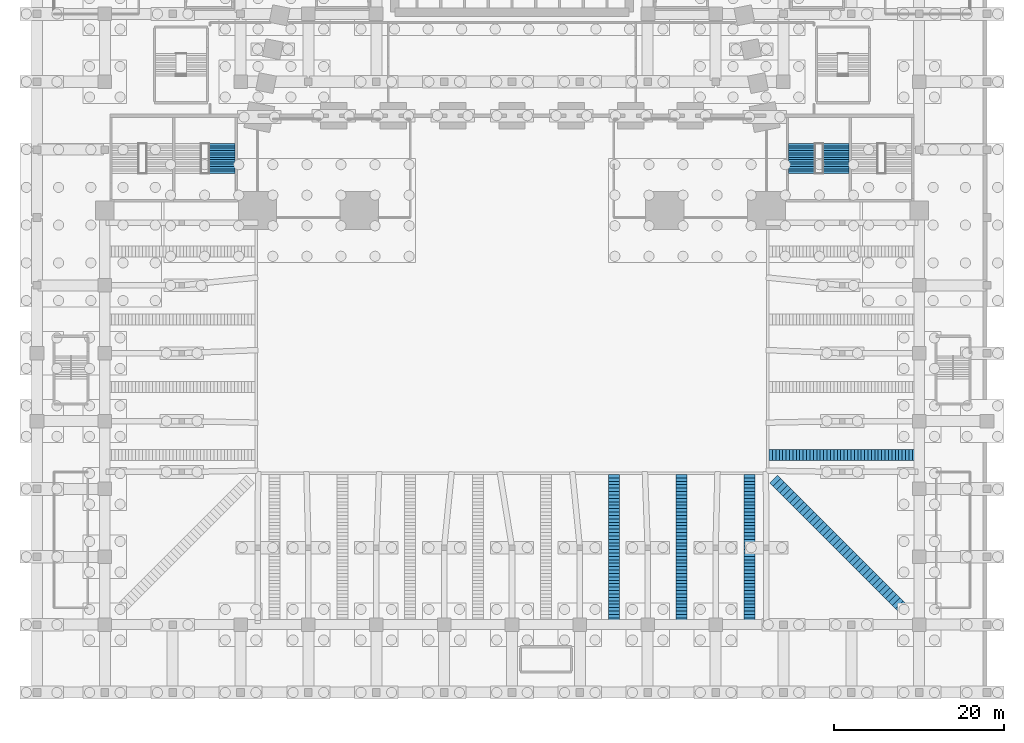
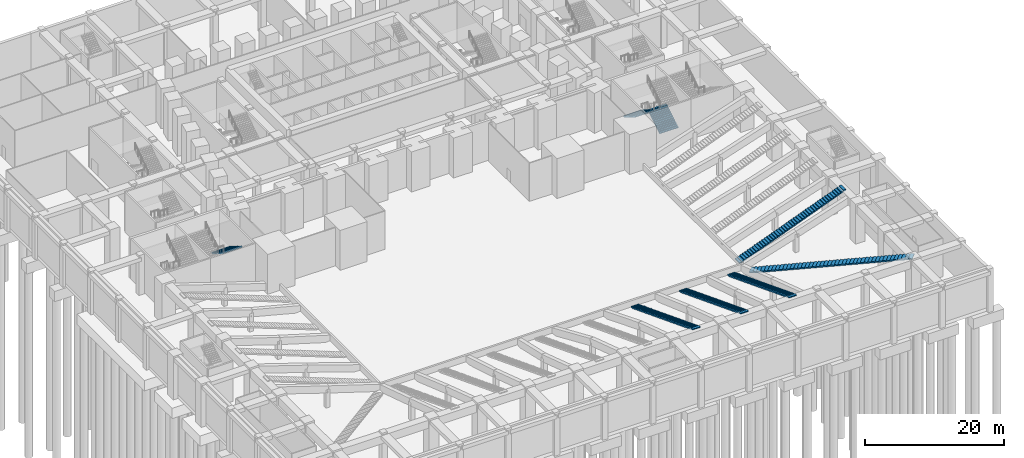
# One storey, part 16 of 30: 8 stair flights, 7 elements without a shape of their own.
"""IFC4 building model written with IfcOpenShell, lengths in metres."""

from ifc_helpers import new_model, si_unit, direction, frame, origin, place, context, subcontext, project, spatial, polyline, outline, extrude, material, type_object, element, aggregate, save


model = new_model("IFC4")

# Units and contexts
model_context = context("Model", 3, precision=1e-05, world=origin(), true_north=direction((0.0, 1.0)))
body_context = subcontext(model_context, "Body", "Model", "MODEL_VIEW")
ifc_project = project(units=[si_unit("LENGTHUNIT", "METRE"), si_unit("AREAUNIT", "SQUARE_METRE"), si_unit("VOLUMEUNIT", "CUBIC_METRE"), si_unit("PLANEANGLEUNIT", "RADIAN"), si_unit("MASSUNIT", "GRAM", prefix="KILO")], contexts=[model_context])

# Site, building, storey
site_placement = place(None, origin())
site = spatial("IfcSite", under=ifc_project, at=site_placement, CompositionType="ELEMENT")
building_placement = place(site_placement, origin())
building = spatial("IfcBuilding", under=site, at=building_placement, Name="Isbrekke Arena Tower", CompositionType="ELEMENT")
storey_placement = place(building_placement, frame((0.0, 0.0, -7.0)))
storey = spatial("IfcBuildingStorey", under=building, at=storey_placement, Name="B1", CompositionType="ELEMENT", Elevation=-7.0)

# Stair, stair flight
ifc_material_1 = material(Name="Concrete B45 (C45/55) precast", Category="concrete")
stair_type_1 = type_object("IfcStairType", Name="AS402 AISLE STAIR 1300 WIDE, 45 RISERS 155", PredefinedType="STRAIGHT_RUN_STAIR", material=ifc_material_1)
stair_1_placement = place(storey_placement, origin())
stair_1 = element("IfcStair", 1, at=stair_1_placement, inside=storey, type_object=stair_type_1, Name="AE46 aisle stair", PredefinedType="STRAIGHT_RUN_STAIR")
ifc_material_2 = material(Name="Concrete B45 (C45/55) precast", Category="concrete")
stair_flight_type_1 = type_object("IfcStairFlightType", Name="AF 1300 AISLE FLIGHT 402", PredefinedType="STRAIGHT", material=ifc_material_2)
stair_flight_1_placement = place(storey_placement, frame((30.300048828125, -46.0, 0.0), z_axis=(0.0, 0.0, 1.0), x_axis=(1.0, 0.0, 0.0)))
stair_flight_1 = element("IfcStairFlight", 2, at=stair_flight_1_placement, type_object=stair_flight_type_1, Name="AE46 flight 1", NumberOfRisers=45, NumberOfTreads=44, PredefinedType="STRAIGHT", RiserHeight=0.155555556, TreadLength=0.4023, context=body_context, shape_type="SweptSolid", body=[
    extrude(outline(polyline([(0.0, 0.0), (0.0, 0.155517578125), (0.40234375, 0.155517578125), (0.40234375, 0.31103515625), (0.8046875, 0.31103515625), (0.8046875, 0.466552734375), (1.206787109375, 0.466552734375), (1.206787109375, 0.622314453125), (1.609130859375, 0.622314453125), (1.609130859375, 0.77783203125), (2.011474609375, 0.77783203125), (2.011474609375, 0.933349609375), (2.413818359375, 0.933349609375), (2.413818359375, 1.0888671875), (2.816162109375, 1.0888671875), (2.816162109375, 1.244384765625), (3.218505859375, 1.244384765625), (3.218505859375, 1.39990234375), (3.62060546875, 1.39990234375), (3.62060546875, 1.5556640625), (4.02294921875, 1.5556640625), (4.02294921875, 1.711181640625), (4.42529296875, 1.711181640625), (4.42529296875, 1.86669921875), (4.82763671875, 1.86669921875), (4.82763671875, 2.022216796875), (5.22998046875, 2.022216796875), (5.22998046875, 2.177734375), (5.632080078125, 2.177734375), (5.632080078125, 2.333251953125), (6.034423828125, 2.333251953125), (6.034423828125, 2.48876953125), (6.436767578125, 2.48876953125), (6.436767578125, 2.64453125), (6.839111328125, 2.64453125), (6.839111328125, 2.800048828125), (7.241455078125, 2.800048828125), (7.241455078125, 2.95556640625), (7.643798828125, 2.95556640625), (7.643798828125, 3.111083984375), (8.0458984375, 3.111083984375), (8.0458984375, 3.2666015625), (8.4482421875, 3.2666015625), (8.4482421875, 3.422119140625), (8.8505859375, 3.422119140625), (8.8505859375, 3.577880859375), (9.2529296875, 3.577880859375), (9.2529296875, 3.7333984375), (9.6552734375, 3.7333984375), (9.6552734375, 3.888916015625), (10.0576171875, 3.888916015625), (10.0576171875, 4.04443359375), (10.459716796875, 4.04443359375), (10.459716796875, 4.199951171875), (10.862060546875, 4.199951171875), (10.862060546875, 4.35546875), (11.264404296875, 4.35546875), (11.264404296875, 4.51123046875), (11.666748046875, 4.51123046875), (11.666748046875, 4.666748046875), (12.069091796875, 4.666748046875), (12.069091796875, 4.822265625), (12.47119140625, 4.822265625), (12.47119140625, 4.977783203125), (12.87353515625, 4.977783203125), (12.87353515625, 5.13330078125), (13.27587890625, 5.13330078125), (13.27587890625, 5.288818359375), (13.67822265625, 5.288818359375), (13.67822265625, 5.4443359375), (14.08056640625, 5.4443359375), (14.08056640625, 5.60009765625), (14.48291015625, 5.60009765625), (14.48291015625, 5.755615234375), (14.885009765625, 5.755615234375), (14.885009765625, 5.9111328125), (15.287353515625, 5.9111328125), (15.287353515625, 6.066650390625), (15.689697265625, 6.066650390625), (15.689697265625, 6.22216796875), (16.092041015625, 6.22216796875), (16.092041015625, 6.377685546875), (16.494384765625, 6.377685546875), (16.494384765625, 6.533447265625), (16.896484375, 6.533447265625), (16.896484375, 6.68896484375), (17.298828125, 6.68896484375), (17.298828125, 6.844482421875), (17.701171875, 6.844482421875), (17.701171875, 7.0), (17.701171875, 6.683837890625), (0.415771484375, 0.0), (0.0, 0.0)])), frame((0.0, 0.64990234375, 0.0), z_axis=(0.0, -1.0, 0.0), x_axis=(1.0, 0.0, 0.0)), (0.0, 0.0, 1.0), 1.300048828125),
])
aggregate(stair_1, [stair_flight_1])

stair_2_placement = place(storey_placement, origin())
stair_2 = element("IfcStair", 3, at=stair_2_placement, inside=storey, type_object=stair_type_1, Name="AS+12 aisle stair", PredefinedType="STRAIGHT_RUN_STAIR")
stair_flight_2_placement = place(storey_placement, frame((12.0, -48.300048828125, 0.0), z_axis=(0.0, 0.0, 1.0), x_axis=(0.0, -1.0, 0.0)))
stair_flight_2 = element("IfcStairFlight", 4, at=stair_flight_2_placement, type_object=stair_flight_type_1, Name="AS+12 flight 1", NumberOfRisers=45, NumberOfTreads=44, PredefinedType="STRAIGHT", RiserHeight=0.155555556, TreadLength=0.4023, context=body_context, shape_type="SweptSolid", body=[
    extrude(outline(polyline([(0.0, 0.0), (0.0, 0.155517578125), (0.40234375, 0.155517578125), (0.40234375, 0.31103515625), (0.8046875, 0.31103515625), (0.8046875, 0.466552734375), (1.206787109375, 0.466552734375), (1.206787109375, 0.622314453125), (1.609130859375, 0.622314453125), (1.609130859375, 0.77783203125), (2.011474609375, 0.77783203125), (2.011474609375, 0.933349609375), (2.413818359375, 0.933349609375), (2.413818359375, 1.0888671875), (2.816162109375, 1.0888671875), (2.816162109375, 1.244384765625), (3.218505859375, 1.244384765625), (3.218505859375, 1.39990234375), (3.62060546875, 1.39990234375), (3.62060546875, 1.5556640625), (4.02294921875, 1.5556640625), (4.02294921875, 1.711181640625), (4.42529296875, 1.711181640625), (4.42529296875, 1.86669921875), (4.82763671875, 1.86669921875), (4.82763671875, 2.022216796875), (5.22998046875, 2.022216796875), (5.22998046875, 2.177734375), (5.632080078125, 2.177734375), (5.632080078125, 2.333251953125), (6.034423828125, 2.333251953125), (6.034423828125, 2.48876953125), (6.436767578125, 2.48876953125), (6.436767578125, 2.64453125), (6.839111328125, 2.64453125), (6.839111328125, 2.800048828125), (7.241455078125, 2.800048828125), (7.241455078125, 2.95556640625), (7.643798828125, 2.95556640625), (7.643798828125, 3.111083984375), (8.0458984375, 3.111083984375), (8.0458984375, 3.2666015625), (8.4482421875, 3.2666015625), (8.4482421875, 3.422119140625), (8.8505859375, 3.422119140625), (8.8505859375, 3.577880859375), (9.2529296875, 3.577880859375), (9.2529296875, 3.7333984375), (9.6552734375, 3.7333984375), (9.6552734375, 3.888916015625), (10.0576171875, 3.888916015625), (10.0576171875, 4.04443359375), (10.459716796875, 4.04443359375), (10.459716796875, 4.199951171875), (10.862060546875, 4.199951171875), (10.862060546875, 4.35546875), (11.264404296875, 4.35546875), (11.264404296875, 4.51123046875), (11.666748046875, 4.51123046875), (11.666748046875, 4.666748046875), (12.069091796875, 4.666748046875), (12.069091796875, 4.822265625), (12.47119140625, 4.822265625), (12.47119140625, 4.977783203125), (12.87353515625, 4.977783203125), (12.87353515625, 5.13330078125), (13.27587890625, 5.13330078125), (13.27587890625, 5.288818359375), (13.67822265625, 5.288818359375), (13.67822265625, 5.4443359375), (14.08056640625, 5.4443359375), (14.08056640625, 5.60009765625), (14.48291015625, 5.60009765625), (14.48291015625, 5.755615234375), (14.885009765625, 5.755615234375), (14.885009765625, 5.9111328125), (15.287353515625, 5.9111328125), (15.287353515625, 6.066650390625), (15.689697265625, 6.066650390625), (15.689697265625, 6.22216796875), (16.092041015625, 6.22216796875), (16.092041015625, 6.377685546875), (16.494384765625, 6.377685546875), (16.494384765625, 6.533447265625), (16.896484375, 6.533447265625), (16.896484375, 6.68896484375), (17.298828125, 6.68896484375), (17.298828125, 6.844482421875), (17.701171875, 6.844482421875), (17.701171875, 7.0), (17.701171875, 6.683837890625), (0.415771484375, 0.0), (0.0, 0.0)])), frame((0.0, 0.64990234375, 0.0), z_axis=(0.0, -1.0, 0.0), x_axis=(1.0, 0.0, 0.0)), (0.0, 0.0, 1.0), 1.300048828125),
])
aggregate(stair_2, [stair_flight_2])

stair_3_placement = place(storey_placement, origin())
stair_3 = element("IfcStair", 5, at=stair_3_placement, inside=storey, type_object=stair_type_1, Name="AS+20 aisle stair", PredefinedType="STRAIGHT_RUN_STAIR")
stair_flight_3_placement = place(storey_placement, frame((20.0, -48.300048828125, 0.0), z_axis=(0.0, 0.0, 1.0), x_axis=(0.0, -1.0, 0.0)))
stair_flight_3 = element("IfcStairFlight", 6, at=stair_flight_3_placement, type_object=stair_flight_type_1, Name="AS+20 flight 1", NumberOfRisers=45, NumberOfTreads=44, PredefinedType="STRAIGHT", RiserHeight=0.155555556, TreadLength=0.4023, context=body_context, shape_type="SweptSolid", body=[
    extrude(outline(polyline([(0.0, 0.0), (0.0, 0.155517578125), (0.40234375, 0.155517578125), (0.40234375, 0.31103515625), (0.8046875, 0.31103515625), (0.8046875, 0.466552734375), (1.206787109375, 0.466552734375), (1.206787109375, 0.622314453125), (1.609130859375, 0.622314453125), (1.609130859375, 0.77783203125), (2.011474609375, 0.77783203125), (2.011474609375, 0.933349609375), (2.413818359375, 0.933349609375), (2.413818359375, 1.0888671875), (2.816162109375, 1.0888671875), (2.816162109375, 1.244384765625), (3.218505859375, 1.244384765625), (3.218505859375, 1.39990234375), (3.62060546875, 1.39990234375), (3.62060546875, 1.5556640625), (4.02294921875, 1.5556640625), (4.02294921875, 1.711181640625), (4.42529296875, 1.711181640625), (4.42529296875, 1.86669921875), (4.82763671875, 1.86669921875), (4.82763671875, 2.022216796875), (5.22998046875, 2.022216796875), (5.22998046875, 2.177734375), (5.632080078125, 2.177734375), (5.632080078125, 2.333251953125), (6.034423828125, 2.333251953125), (6.034423828125, 2.48876953125), (6.436767578125, 2.48876953125), (6.436767578125, 2.64453125), (6.839111328125, 2.64453125), (6.839111328125, 2.800048828125), (7.241455078125, 2.800048828125), (7.241455078125, 2.95556640625), (7.643798828125, 2.95556640625), (7.643798828125, 3.111083984375), (8.0458984375, 3.111083984375), (8.0458984375, 3.2666015625), (8.4482421875, 3.2666015625), (8.4482421875, 3.422119140625), (8.8505859375, 3.422119140625), (8.8505859375, 3.577880859375), (9.2529296875, 3.577880859375), (9.2529296875, 3.7333984375), (9.6552734375, 3.7333984375), (9.6552734375, 3.888916015625), (10.0576171875, 3.888916015625), (10.0576171875, 4.04443359375), (10.459716796875, 4.04443359375), (10.459716796875, 4.199951171875), (10.862060546875, 4.199951171875), (10.862060546875, 4.35546875), (11.264404296875, 4.35546875), (11.264404296875, 4.51123046875), (11.666748046875, 4.51123046875), (11.666748046875, 4.666748046875), (12.069091796875, 4.666748046875), (12.069091796875, 4.822265625), (12.47119140625, 4.822265625), (12.47119140625, 4.977783203125), (12.87353515625, 4.977783203125), (12.87353515625, 5.13330078125), (13.27587890625, 5.13330078125), (13.27587890625, 5.288818359375), (13.67822265625, 5.288818359375), (13.67822265625, 5.4443359375), (14.08056640625, 5.4443359375), (14.08056640625, 5.60009765625), (14.48291015625, 5.60009765625), (14.48291015625, 5.755615234375), (14.885009765625, 5.755615234375), (14.885009765625, 5.9111328125), (15.287353515625, 5.9111328125), (15.287353515625, 6.066650390625), (15.689697265625, 6.066650390625), (15.689697265625, 6.22216796875), (16.092041015625, 6.22216796875), (16.092041015625, 6.377685546875), (16.494384765625, 6.377685546875), (16.494384765625, 6.533447265625), (16.896484375, 6.533447265625), (16.896484375, 6.68896484375), (17.298828125, 6.68896484375), (17.298828125, 6.844482421875), (17.701171875, 6.844482421875), (17.701171875, 7.0), (17.701171875, 6.683837890625), (0.415771484375, 0.0), (0.0, 0.0)])), frame((0.0, 0.64990234375, 0.0), z_axis=(0.0, -1.0, 0.0), x_axis=(1.0, 0.0, 0.0)), (0.0, 0.0, 1.0), 1.300048828125),
])
aggregate(stair_3, [stair_flight_3])

stair_4_placement = place(storey_placement, origin())
stair_4 = element("IfcStair", 7, at=stair_4_placement, inside=storey, type_object=stair_type_1, Name="AS+28 aisle stair", PredefinedType="STRAIGHT_RUN_STAIR")
stair_flight_4_placement = place(storey_placement, frame((28.0, -48.300048828125, 0.0), z_axis=(0.0, 0.0, 1.0), x_axis=(0.0, -1.0, 0.0)))
stair_flight_4 = element("IfcStairFlight", 8, at=stair_flight_4_placement, type_object=stair_flight_type_1, Name="AS+28 flight 1", NumberOfRisers=45, NumberOfTreads=44, PredefinedType="STRAIGHT", RiserHeight=0.155555556, TreadLength=0.4023, context=body_context, shape_type="SweptSolid", body=[
    extrude(outline(polyline([(0.0, 0.0), (0.0, 0.155517578125), (0.40234375, 0.155517578125), (0.40234375, 0.31103515625), (0.8046875, 0.31103515625), (0.8046875, 0.466552734375), (1.206787109375, 0.466552734375), (1.206787109375, 0.622314453125), (1.609130859375, 0.622314453125), (1.609130859375, 0.77783203125), (2.011474609375, 0.77783203125), (2.011474609375, 0.933349609375), (2.413818359375, 0.933349609375), (2.413818359375, 1.0888671875), (2.816162109375, 1.0888671875), (2.816162109375, 1.244384765625), (3.218505859375, 1.244384765625), (3.218505859375, 1.39990234375), (3.62060546875, 1.39990234375), (3.62060546875, 1.5556640625), (4.02294921875, 1.5556640625), (4.02294921875, 1.711181640625), (4.42529296875, 1.711181640625), (4.42529296875, 1.86669921875), (4.82763671875, 1.86669921875), (4.82763671875, 2.022216796875), (5.22998046875, 2.022216796875), (5.22998046875, 2.177734375), (5.632080078125, 2.177734375), (5.632080078125, 2.333251953125), (6.034423828125, 2.333251953125), (6.034423828125, 2.48876953125), (6.436767578125, 2.48876953125), (6.436767578125, 2.64453125), (6.839111328125, 2.64453125), (6.839111328125, 2.800048828125), (7.241455078125, 2.800048828125), (7.241455078125, 2.95556640625), (7.643798828125, 2.95556640625), (7.643798828125, 3.111083984375), (8.0458984375, 3.111083984375), (8.0458984375, 3.2666015625), (8.4482421875, 3.2666015625), (8.4482421875, 3.422119140625), (8.8505859375, 3.422119140625), (8.8505859375, 3.577880859375), (9.2529296875, 3.577880859375), (9.2529296875, 3.7333984375), (9.6552734375, 3.7333984375), (9.6552734375, 3.888916015625), (10.0576171875, 3.888916015625), (10.0576171875, 4.04443359375), (10.459716796875, 4.04443359375), (10.459716796875, 4.199951171875), (10.862060546875, 4.199951171875), (10.862060546875, 4.35546875), (11.264404296875, 4.35546875), (11.264404296875, 4.51123046875), (11.666748046875, 4.51123046875), (11.666748046875, 4.666748046875), (12.069091796875, 4.666748046875), (12.069091796875, 4.822265625), (12.47119140625, 4.822265625), (12.47119140625, 4.977783203125), (12.87353515625, 4.977783203125), (12.87353515625, 5.13330078125), (13.27587890625, 5.13330078125), (13.27587890625, 5.288818359375), (13.67822265625, 5.288818359375), (13.67822265625, 5.4443359375), (14.08056640625, 5.4443359375), (14.08056640625, 5.60009765625), (14.48291015625, 5.60009765625), (14.48291015625, 5.755615234375), (14.885009765625, 5.755615234375), (14.885009765625, 5.9111328125), (15.287353515625, 5.9111328125), (15.287353515625, 6.066650390625), (15.689697265625, 6.066650390625), (15.689697265625, 6.22216796875), (16.092041015625, 6.22216796875), (16.092041015625, 6.377685546875), (16.494384765625, 6.377685546875), (16.494384765625, 6.533447265625), (16.896484375, 6.533447265625), (16.896484375, 6.68896484375), (17.298828125, 6.68896484375), (17.298828125, 6.844482421875), (17.701171875, 6.844482421875), (17.701171875, 7.0), (17.701171875, 6.683837890625), (0.415771484375, 0.0), (0.0, 0.0)])), frame((0.0, 0.64990234375, 0.0), z_axis=(0.0, -1.0, 0.0), x_axis=(1.0, 0.0, 0.0)), (0.0, 0.0, 1.0), 1.300048828125),
])
aggregate(stair_4, [stair_flight_4])

ifc_material_3 = material(Name="Concrete B45 (C45/55) precast", Category="concrete")
stair_type_2 = type_object("IfcStairType", Name="AS551 AISLE STAIR 1300 WIDE, 45 RISERS 155", PredefinedType="STRAIGHT_RUN_STAIR", material=ifc_material_3)
stair_5_placement = place(storey_placement, origin())
stair_5 = element("IfcStair", 9, at=stair_5_placement, inside=storey, type_object=stair_type_2, Name="ASE aisle stair", PredefinedType="STRAIGHT_RUN_STAIR")
ifc_material_4 = material(Name="Concrete B45 (C45/55) precast", Category="concrete")
stair_flight_type_2 = type_object("IfcStairFlightType", Name="AF 1300 AISLE FLIGHT 551", PredefinedType="STRAIGHT", material=ifc_material_4)
stair_flight_5_placement = place(storey_placement, frame((30.85009765625, -48.85009765625, 0.0), z_axis=(0.0, 0.0, 1.0), x_axis=(0.707106781187, -0.707106781187, 0.0)))
stair_flight_5 = element("IfcStairFlight", 10, at=stair_flight_5_placement, type_object=stair_flight_type_2, Name="ASE flight 1", NumberOfRisers=45, NumberOfTreads=44, PredefinedType="STRAIGHT", RiserHeight=0.155555556, TreadLength=0.5512, context=body_context, shape_type="SweptSolid", body=[
    extrude(outline(polyline([(0.0, 0.0), (0.0, 0.155517578125), (0.55126953125, 0.155517578125), (0.55126953125, 0.31103515625), (1.102294921875, 0.31103515625), (1.102294921875, 0.466552734375), (1.653564453125, 0.466552734375), (1.653564453125, 0.622314453125), (2.204833984375, 0.622314453125), (2.204833984375, 0.77783203125), (2.756103515625, 0.77783203125), (2.756103515625, 0.933349609375), (3.30712890625, 0.933349609375), (3.30712890625, 1.0888671875), (3.8583984375, 1.0888671875), (3.8583984375, 1.244384765625), (4.40966796875, 1.244384765625), (4.40966796875, 1.39990234375), (4.960693359375, 1.39990234375), (4.960693359375, 1.5556640625), (5.511962890625, 1.5556640625), (5.511962890625, 1.711181640625), (6.063232421875, 1.711181640625), (6.063232421875, 1.86669921875), (6.614501953125, 1.86669921875), (6.614501953125, 2.022216796875), (7.16552734375, 2.022216796875), (7.16552734375, 2.177734375), (7.716796875, 2.177734375), (7.716796875, 2.333251953125), (8.26806640625, 2.333251953125), (8.26806640625, 2.48876953125), (8.819091796875, 2.48876953125), (8.819091796875, 2.64453125), (9.370361328125, 2.64453125), (9.370361328125, 2.800048828125), (9.921630859375, 2.800048828125), (9.921630859375, 2.95556640625), (10.472900390625, 2.95556640625), (10.472900390625, 3.111083984375), (11.02392578125, 3.111083984375), (11.02392578125, 3.2666015625), (11.5751953125, 3.2666015625), (11.5751953125, 3.422119140625), (12.12646484375, 3.422119140625), (12.12646484375, 3.577880859375), (12.677490234375, 3.577880859375), (12.677490234375, 3.7333984375), (13.228759765625, 3.7333984375), (13.228759765625, 3.888916015625), (13.780029296875, 3.888916015625), (13.780029296875, 4.04443359375), (14.331298828125, 4.04443359375), (14.331298828125, 4.199951171875), (14.88232421875, 4.199951171875), (14.88232421875, 4.35546875), (15.43359375, 4.35546875), (15.43359375, 4.51123046875), (15.98486328125, 4.51123046875), (15.98486328125, 4.666748046875), (16.535888671875, 4.666748046875), (16.535888671875, 4.822265625), (17.087158203125, 4.822265625), (17.087158203125, 4.977783203125), (17.638427734375, 4.977783203125), (17.638427734375, 5.13330078125), (18.189697265625, 5.13330078125), (18.189697265625, 5.288818359375), (18.74072265625, 5.288818359375), (18.74072265625, 5.4443359375), (19.2919921875, 5.4443359375), (19.2919921875, 5.60009765625), (19.84326171875, 5.60009765625), (19.84326171875, 5.755615234375), (20.394287109375, 5.755615234375), (20.394287109375, 5.9111328125), (20.945556640625, 5.9111328125), (20.945556640625, 6.066650390625), (21.496826171875, 6.066650390625), (21.496826171875, 6.22216796875), (22.048095703125, 6.22216796875), (22.048095703125, 6.377685546875), (22.59912109375, 6.377685546875), (22.59912109375, 6.533447265625), (23.150390625, 6.533447265625), (23.150390625, 6.68896484375), (23.70166015625, 6.68896484375), (23.70166015625, 6.844482421875), (24.252685546875, 6.844482421875), (24.252685546875, 7.0), (24.252685546875, 6.688720703125), (0.552001953125, 0.0), (0.0, 0.0)])), frame((0.0, 0.64990234375, 0.0), z_axis=(0.0, -1.0, 0.0), x_axis=(1.0, 0.0, 0.0)), (0.0, 0.0, 1.0), 1.300048828125),
])
aggregate(stair_5, [stair_flight_5])

# Stair, stair flights
ifc_material_5 = material(Name="Concrete B45 (C45/55) cast in situ", Category="concrete")
stair_type_3 = type_object("IfcStairType", Name="ST70 STAIR 3090 WIDE, 42 RISERS 167", PredefinedType="HALF_TURN_STAIR", material=ifc_material_5)
stair_6_placement = place(storey_placement, origin())
stair_6 = element("IfcStair", 11, at=stair_6_placement, inside=storey, type_object=stair_type_3, Name="X1 exit stair B1", PredefinedType="HALF_TURN_STAIR")
ifc_material_6 = material(Name="Concrete B45 (C45/55) cast in situ", Category="concrete")
stair_flight_type_3 = type_object("IfcStairFlightType", Name="SF 3090 FLIGHT", PredefinedType="STRAIGHT", material=ifc_material_6)
stair_flight_6_placement = place(storey_placement, frame((38.205078125, -12.804931640625, 0.0), z_axis=(0.0, 0.0, 1.0), x_axis=(0.0, 1.0, 0.0)))
stair_flight_6 = element("IfcStairFlight", 12, at=stair_flight_6_placement, type_object=stair_flight_type_3, Name="X1 flight 1", NumberOfRisers=14, NumberOfTreads=13, PredefinedType="STRAIGHT", RiserHeight=0.166666667, TreadLength=0.27, context=body_context, shape_type="SweptSolid", body=[
    extrude(outline(polyline([(0.0, 0.0), (0.0, 0.166748046875), (0.27001953125, 0.166748046875), (0.27001953125, 0.333251953125), (0.5400390625, 0.333251953125), (0.5400390625, 0.5), (0.81005859375, 0.5), (0.81005859375, 0.666748046875), (1.080078125, 0.666748046875), (1.080078125, 0.833251953125), (1.35009765625, 0.833251953125), (1.35009765625, 1.0), (1.6201171875, 1.0), (1.6201171875, 1.166748046875), (1.889892578125, 1.166748046875), (1.889892578125, 1.333251953125), (2.159912109375, 1.333251953125), (2.159912109375, 1.5), (2.429931640625, 1.5), (2.429931640625, 1.666748046875), (2.699951171875, 1.666748046875), (2.699951171875, 1.833251953125), (2.969970703125, 1.833251953125), (2.969970703125, 2.0), (3.239990234375, 2.0), (3.239990234375, 2.166748046875), (3.510009765625, 2.166748046875), (3.510009765625, 2.333251953125), (3.510009765625, 1.990478515625), (0.285400390625, 0.0), (0.0, 0.0)])), frame((0.0, 1.544921875, 0.0), z_axis=(0.0, -1.0, 0.0), x_axis=(1.0, 0.0, 0.0)), (0.0, 0.0, 1.0), 1.031005859375),
    extrude(outline(polyline([(0.0, 0.0), (0.0, 0.166748046875), (0.27001953125, 0.166748046875), (0.27001953125, 0.333251953125), (0.5400390625, 0.333251953125), (0.5400390625, 0.5), (0.81005859375, 0.5), (0.81005859375, 0.666748046875), (1.080078125, 0.666748046875), (1.080078125, 0.833251953125), (1.35009765625, 0.833251953125), (1.35009765625, 1.0), (1.6201171875, 1.0), (1.6201171875, 1.166748046875), (1.889892578125, 1.166748046875), (1.889892578125, 1.333251953125), (2.159912109375, 1.333251953125), (2.159912109375, 1.5), (2.429931640625, 1.5), (2.429931640625, 1.666748046875), (2.699951171875, 1.666748046875), (2.699951171875, 1.833251953125), (2.969970703125, 1.833251953125), (2.969970703125, 2.0), (3.239990234375, 2.0), (3.239990234375, 2.166748046875), (3.510009765625, 2.166748046875), (3.510009765625, 2.333251953125), (3.510009765625, 1.990478515625), (0.285400390625, 0.0), (0.0, 0.0)])), frame((0.0, 0.51611328125, 0.0), z_axis=(0.0, -1.0, 0.0), x_axis=(1.0, 0.0, 0.0)), (0.0, 0.0, 1.0), 1.031982421875),
    extrude(outline(polyline([(0.0, 0.0), (0.0, 0.166748046875), (0.27001953125, 0.166748046875), (0.27001953125, 0.333251953125), (0.5400390625, 0.333251953125), (0.5400390625, 0.5), (0.81005859375, 0.5), (0.81005859375, 0.666748046875), (1.080078125, 0.666748046875), (1.080078125, 0.833251953125), (1.35009765625, 0.833251953125), (1.35009765625, 1.0), (1.6201171875, 1.0), (1.6201171875, 1.166748046875), (1.889892578125, 1.166748046875), (1.889892578125, 1.333251953125), (2.159912109375, 1.333251953125), (2.159912109375, 1.5), (2.429931640625, 1.5), (2.429931640625, 1.666748046875), (2.699951171875, 1.666748046875), (2.699951171875, 1.833251953125), (2.969970703125, 1.833251953125), (2.969970703125, 2.0), (3.239990234375, 2.0), (3.239990234375, 2.166748046875), (3.510009765625, 2.166748046875), (3.510009765625, 2.333251953125), (3.510009765625, 1.990478515625), (0.285400390625, 0.0), (0.0, 0.0)])), frame((0.0, -0.51416015625, 0.0), z_axis=(0.0, -1.0, 0.0), x_axis=(1.0, 0.0, 0.0)), (0.0, 0.0, 1.0), 1.031005859375),
])
stair_flight_7_placement = place(storey_placement, frame((34.169921875, -9.294921875, 2.333251953125), z_axis=(0.0, 0.0, 1.0), x_axis=(0.0, -1.0, 0.0)))
stair_flight_7 = element("IfcStairFlight", 13, at=stair_flight_7_placement, type_object=stair_flight_type_3, Name="X1 flight 2", NumberOfRisers=14, NumberOfTreads=13, PredefinedType="STRAIGHT", RiserHeight=0.166666667, TreadLength=0.27, context=body_context, shape_type="SweptSolid", body=[
    extrude(outline(polyline([(0.0, 0.0), (0.0, 0.166748046875), (0.27001953125, 0.166748046875), (0.27001953125, 0.333251953125), (0.5400390625, 0.333251953125), (0.5400390625, 0.5), (0.81005859375, 0.5), (0.81005859375, 0.666748046875), (1.080078125, 0.666748046875), (1.080078125, 0.833251953125), (1.35009765625, 0.833251953125), (1.35009765625, 1.0), (1.6201171875, 1.0), (1.6201171875, 1.166748046875), (1.889892578125, 1.166748046875), (1.889892578125, 1.333251953125), (2.159912109375, 1.333251953125), (2.159912109375, 1.5), (2.429931640625, 1.5), (2.429931640625, 1.666748046875), (2.699951171875, 1.666748046875), (2.699951171875, 1.833251953125), (2.969970703125, 1.833251953125), (2.969970703125, 2.0), (3.239990234375, 2.0), (3.239990234375, 2.166748046875), (3.510009765625, 2.166748046875), (3.510009765625, 2.333251953125), (3.510009765625, 1.990478515625), (0.285400390625, 0.0), (0.0, 0.0)])), frame((0.0, 1.544921875, 0.0), z_axis=(0.0, -1.0, 0.0), x_axis=(1.0, 0.0, 0.0)), (0.0, 0.0, 1.0), 1.031005859375),
    extrude(outline(polyline([(0.0, 0.0), (0.0, 0.166748046875), (0.27001953125, 0.166748046875), (0.27001953125, 0.333251953125), (0.5400390625, 0.333251953125), (0.5400390625, 0.5), (0.81005859375, 0.5), (0.81005859375, 0.666748046875), (1.080078125, 0.666748046875), (1.080078125, 0.833251953125), (1.35009765625, 0.833251953125), (1.35009765625, 1.0), (1.6201171875, 1.0), (1.6201171875, 1.166748046875), (1.889892578125, 1.166748046875), (1.889892578125, 1.333251953125), (2.159912109375, 1.333251953125), (2.159912109375, 1.5), (2.429931640625, 1.5), (2.429931640625, 1.666748046875), (2.699951171875, 1.666748046875), (2.699951171875, 1.833251953125), (2.969970703125, 1.833251953125), (2.969970703125, 2.0), (3.239990234375, 2.0), (3.239990234375, 2.166748046875), (3.510009765625, 2.166748046875), (3.510009765625, 2.333251953125), (3.510009765625, 1.990478515625), (0.285400390625, 0.0), (0.0, 0.0)])), frame((0.0, 0.51611328125, 0.0), z_axis=(0.0, -1.0, 0.0), x_axis=(1.0, 0.0, 0.0)), (0.0, 0.0, 1.0), 1.031982421875),
    extrude(outline(polyline([(0.0, 0.0), (0.0, 0.166748046875), (0.27001953125, 0.166748046875), (0.27001953125, 0.333251953125), (0.5400390625, 0.333251953125), (0.5400390625, 0.5), (0.81005859375, 0.5), (0.81005859375, 0.666748046875), (1.080078125, 0.666748046875), (1.080078125, 0.833251953125), (1.35009765625, 0.833251953125), (1.35009765625, 1.0), (1.6201171875, 1.0), (1.6201171875, 1.166748046875), (1.889892578125, 1.166748046875), (1.889892578125, 1.333251953125), (2.159912109375, 1.333251953125), (2.159912109375, 1.5), (2.429931640625, 1.5), (2.429931640625, 1.666748046875), (2.699951171875, 1.666748046875), (2.699951171875, 1.833251953125), (2.969970703125, 1.833251953125), (2.969970703125, 2.0), (3.239990234375, 2.0), (3.239990234375, 2.166748046875), (3.510009765625, 2.166748046875), (3.510009765625, 2.333251953125), (3.510009765625, 1.990478515625), (0.285400390625, 0.0), (0.0, 0.0)])), frame((0.0, -0.51416015625, 0.0), z_axis=(0.0, -1.0, 0.0), x_axis=(1.0, 0.0, 0.0)), (0.0, 0.0, 1.0), 1.031005859375),
])
aggregate(stair_6, [stair_flight_6, stair_flight_7])

# Stair, stair flight
stair_7_placement = place(storey_placement, origin())
stair_7 = element("IfcStair", 14, at=stair_7_placement, inside=storey, type_object=stair_type_3, Name="X3 exit stair B1", PredefinedType="HALF_TURN_STAIR")
stair_flight_8_placement = place(storey_placement, frame((-34.169921875, -9.294921875, 2.333251953125), z_axis=(0.0, 0.0, 1.0), x_axis=(0.0, -1.0, 0.0)))
stair_flight_8 = element("IfcStairFlight", 15, at=stair_flight_8_placement, type_object=stair_flight_type_3, Name="X3 flight 2", NumberOfRisers=14, NumberOfTreads=13, PredefinedType="STRAIGHT", RiserHeight=0.166666667, TreadLength=0.27, context=body_context, shape_type="SweptSolid", body=[
    extrude(outline(polyline([(0.0, 0.0), (0.0, 0.166748046875), (0.27001953125, 0.166748046875), (0.27001953125, 0.333251953125), (0.5400390625, 0.333251953125), (0.5400390625, 0.5), (0.81005859375, 0.5), (0.81005859375, 0.666748046875), (1.080078125, 0.666748046875), (1.080078125, 0.833251953125), (1.35009765625, 0.833251953125), (1.35009765625, 1.0), (1.6201171875, 1.0), (1.6201171875, 1.166748046875), (1.889892578125, 1.166748046875), (1.889892578125, 1.333251953125), (2.159912109375, 1.333251953125), (2.159912109375, 1.5), (2.429931640625, 1.5), (2.429931640625, 1.666748046875), (2.699951171875, 1.666748046875), (2.699951171875, 1.833251953125), (2.969970703125, 1.833251953125), (2.969970703125, 2.0), (3.239990234375, 2.0), (3.239990234375, 2.166748046875), (3.510009765625, 2.166748046875), (3.510009765625, 2.333251953125), (3.510009765625, 1.990478515625), (0.285400390625, 0.0), (0.0, 0.0)])), frame((0.0, 1.544921875, 0.0), z_axis=(0.0, -1.0, 0.0), x_axis=(1.0, 0.0, 0.0)), (0.0, 0.0, 1.0), 1.031005859375),
    extrude(outline(polyline([(0.0, 0.0), (0.0, 0.166748046875), (0.27001953125, 0.166748046875), (0.27001953125, 0.333251953125), (0.5400390625, 0.333251953125), (0.5400390625, 0.5), (0.81005859375, 0.5), (0.81005859375, 0.666748046875), (1.080078125, 0.666748046875), (1.080078125, 0.833251953125), (1.35009765625, 0.833251953125), (1.35009765625, 1.0), (1.6201171875, 1.0), (1.6201171875, 1.166748046875), (1.889892578125, 1.166748046875), (1.889892578125, 1.333251953125), (2.159912109375, 1.333251953125), (2.159912109375, 1.5), (2.429931640625, 1.5), (2.429931640625, 1.666748046875), (2.699951171875, 1.666748046875), (2.699951171875, 1.833251953125), (2.969970703125, 1.833251953125), (2.969970703125, 2.0), (3.239990234375, 2.0), (3.239990234375, 2.166748046875), (3.510009765625, 2.166748046875), (3.510009765625, 2.333251953125), (3.510009765625, 1.990478515625), (0.285400390625, 0.0), (0.0, 0.0)])), frame((0.0, 0.51611328125, 0.0), z_axis=(0.0, -1.0, 0.0), x_axis=(1.0, 0.0, 0.0)), (0.0, 0.0, 1.0), 1.031982421875),
    extrude(outline(polyline([(0.0, 0.0), (0.0, 0.166748046875), (0.27001953125, 0.166748046875), (0.27001953125, 0.333251953125), (0.5400390625, 0.333251953125), (0.5400390625, 0.5), (0.81005859375, 0.5), (0.81005859375, 0.666748046875), (1.080078125, 0.666748046875), (1.080078125, 0.833251953125), (1.35009765625, 0.833251953125), (1.35009765625, 1.0), (1.6201171875, 1.0), (1.6201171875, 1.166748046875), (1.889892578125, 1.166748046875), (1.889892578125, 1.333251953125), (2.159912109375, 1.333251953125), (2.159912109375, 1.5), (2.429931640625, 1.5), (2.429931640625, 1.666748046875), (2.699951171875, 1.666748046875), (2.699951171875, 1.833251953125), (2.969970703125, 1.833251953125), (2.969970703125, 2.0), (3.239990234375, 2.0), (3.239990234375, 2.166748046875), (3.510009765625, 2.166748046875), (3.510009765625, 2.333251953125), (3.510009765625, 1.990478515625), (0.285400390625, 0.0), (0.0, 0.0)])), frame((0.0, -0.51416015625, 0.0), z_axis=(0.0, -1.0, 0.0), x_axis=(1.0, 0.0, 0.0)), (0.0, 0.0, 1.0), 1.031005859375),
])
aggregate(stair_7, [stair_flight_8])

save(model, "model.ifc")
